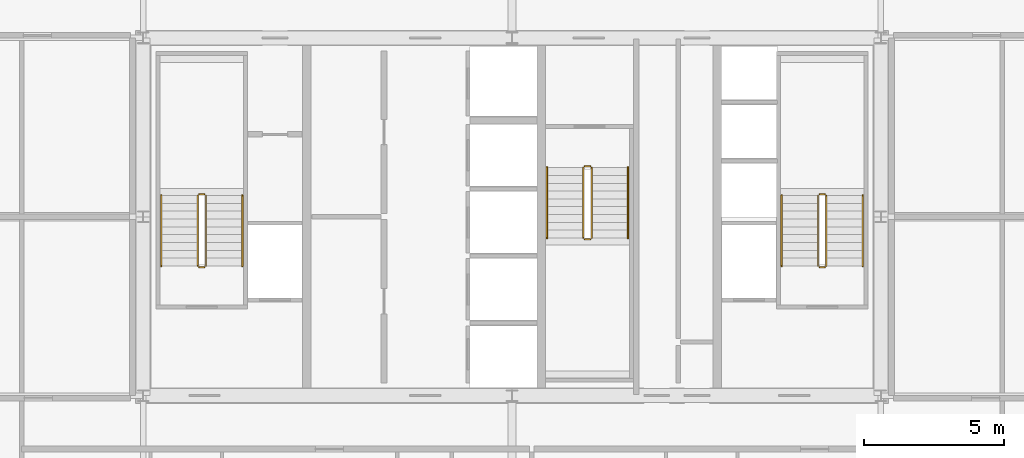
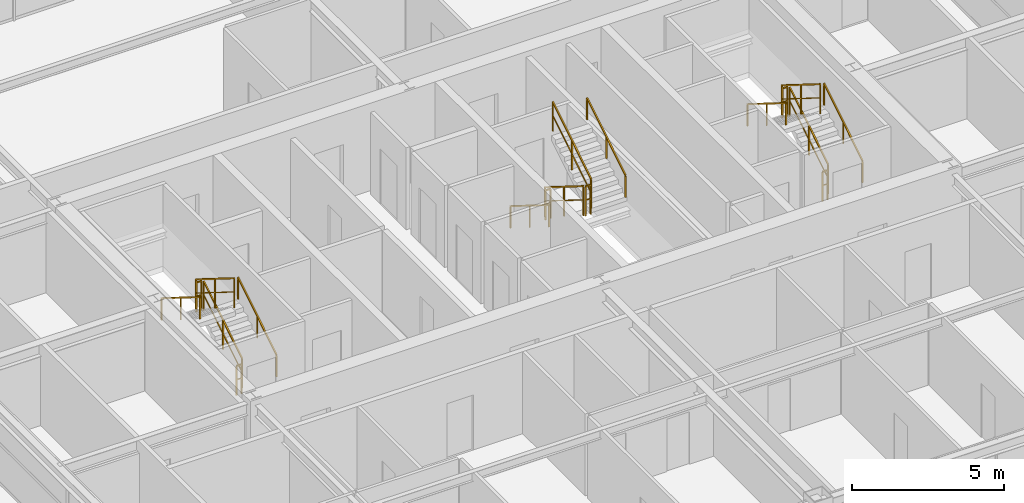
# One storey, part 36 of 36: 18 railings.
"""IFC4 building model written with IfcOpenShell, lengths in metres."""

from ifc_helpers import new_model, si_unit, direction, frame, origin, origin_2d, place, context, subcontext, project, spatial, rectangle, extrude, source, transform, mapped, material, layer, layer_set, type_object, element, save


model = new_model("IFC4")

# Units and contexts
model_context = context("Model", 3, precision=1e-05, world=origin(), true_north=direction((0.0, 1.0)))
body_context = subcontext(model_context, "Body", "Model", "MODEL_VIEW")
ifc_project = project(units=[si_unit("LENGTHUNIT", "METRE"), si_unit("AREAUNIT", "SQUARE_METRE"), si_unit("VOLUMEUNIT", "CUBIC_METRE"), si_unit("PLANEANGLEUNIT", "RADIAN"), si_unit("MASSUNIT", "GRAM", prefix="KILO"), si_unit("THERMODYNAMICTEMPERATUREUNIT", "KELVIN"), si_unit("POWERUNIT", "WATT")], contexts=[model_context])

# Site, building, storey
site_placement = place(None, origin())
site = spatial("IfcSite", under=ifc_project, at=site_placement, CompositionType="ELEMENT")
building_placement = place(site_placement, origin())
building = spatial("IfcBuilding", under=site, at=building_placement, Name="Yuzanri Waterfront Tower", CompositionType="ELEMENT")
storey_placement = place(building_placement, frame((0.0, 0.0, 231.10009765625)))
storey = spatial("IfcBuildingStorey", under=building, at=storey_placement, Name="L61", CompositionType="ELEMENT", Elevation=231.10009765625)

# Railings
ifc_material_1 = material(Name="Painted Galvanized Fire Steel", Category="steel")
ifc_layer_1 = layer(ifc_material_1, 0.06005859375)
ifc_layer_set_1 = layer_set([ifc_layer_1], Name="Painted Galvanized Fire Steel")
railing_type_1 = type_object("IfcRailingType", Name="Painted Steel Stairwell Guardrail 1120", PredefinedType="GUARDRAIL", material=ifc_layer_set_1)
shared_shape_1 = source(origin(), body_context, "Body", "SweptSolid", [
    extrude(rectangle(XDim=0.050048828125, YDim=0.050048828125, at=origin_2d()), frame((0.0, 0.0, 1.1748046875), z_axis=(-1.0, 0.0, 0.0), x_axis=(0.0, -1.0, 0.0)), (0.0, 0.0, 1.0), 0.199951171875),
    extrude(rectangle(XDim=0.035888671875, YDim=0.030029296875, at=origin_2d()), frame((0.0, 0.0, 0.6240234375), z_axis=(-1.0, 0.0, 0.0), x_axis=(0.0, -1.0, 0.0)), (0.0, 0.0, 1.0), 0.199951171875),
    extrude(rectangle(XDim=0.0458984375, YDim=0.0458984375, at=origin_2d()), origin(), (0.0, 0.0, 1.0), 1.14990234375),
    extrude(rectangle(XDim=0.0458984375, YDim=0.0458984375, at=origin_2d()), frame((-0.199951171875, 0.0, 0.0)), (0.0, 0.0, 1.0), 1.14990234375),
])
for number, where, name in (
    (1, (26.0, 26.610107421875, 1.75), "L61 ST-01 stair guard 2"),
    (2, (26.0, 23.989990234375, 0.0), "L61 ST-01 stair guard 4"),
    (3, (48.199951171875, 26.610107421875, 1.75), "L61 ST-02 stair guard 2"),
    (4, (48.199951171875, 23.989990234375, 0.0), "L61 ST-02 stair guard 4"),
):
    element("IfcRailing", number, at=place(storey_placement, frame(where)), inside=storey, type_object=railing_type_1, Name=name, PredefinedType="GUARDRAIL", context=body_context, shape_type="MappedRepresentation", body=[
        mapped(shared_shape_1, transform((0.0, 0.0, 0.0), scale=1.0)),
    ])
shared_shape_2 = source(origin(), body_context, "Body", "SweptSolid", [
    extrude(rectangle(XDim=0.050048828125, YDim=0.050048828125, at=origin_2d()), frame((0.0, 0.0, 1.1748046875), z_axis=(0.0, 0.847970611238, 0.530043245855), x_axis=(-1.0, 0.0, 0.0)), (0.0, 0.0, 1.0), 2.971923828125),
    extrude(rectangle(XDim=0.035888671875, YDim=0.030029296875, at=origin_2d()), frame((0.0, 0.0, 0.6240234375), z_axis=(0.0, 0.847970611238, 0.530043245855), x_axis=(-1.0, 0.0, 0.0)), (0.0, 0.0, 1.0), 2.971923828125),
    extrude(rectangle(XDim=0.0458984375, YDim=0.0458984375, at=origin_2d()), origin(), (0.0, 0.0, 1.0), 1.14990234375),
    extrude(rectangle(XDim=0.0458984375, YDim=0.0458984375, at=origin_2d()), frame((0.0, 1.260009765625, 0.78759765625)), (0.0, 0.0, 1.0), 1.14990234375),
    extrude(rectangle(XDim=0.0458984375, YDim=0.0458984375, at=origin_2d()), frame((0.0, 2.52001953125, 1.5751953125)), (0.0, 0.0, 1.0), 1.14990234375),
])
for number, where, name in (
    (5, (26.050048828125, 24.0400390625, 0.1748046875), "L61 ST-01 stair guard 1"),
    (6, (48.25, 24.0400390625, 0.1748046875), "L61 ST-02 stair guard 1"),
    (7, (39.85009765625, 25.0400390625, 1.9248046875), "L61 ST-03 stair guard 3"),
):
    element("IfcRailing", number, at=place(storey_placement, frame(where)), inside=storey, type_object=railing_type_1, Name=name, PredefinedType="GUARDRAIL", context=body_context, shape_type="MappedRepresentation", body=[
        mapped(shared_shape_2, transform((0.0, 0.0, 0.0), scale=1.0)),
    ])
shared_shape_3 = source(origin(), body_context, "Body", "SweptSolid", [
    extrude(rectangle(XDim=0.050048828125, YDim=0.050048828125, at=origin_2d()), frame((0.0, 0.0, 1.1748046875), z_axis=(0.0, -0.847970611238, 0.530043245855), x_axis=(1.0, 0.0, 0.0)), (0.0, 0.0, 1.0), 2.971923828125),
    extrude(rectangle(XDim=0.035888671875, YDim=0.030029296875, at=origin_2d()), frame((0.0, 0.0, 0.6240234375), z_axis=(0.0, -0.847970611238, 0.530043245855), x_axis=(1.0, 0.0, 0.0)), (0.0, 0.0, 1.0), 2.971923828125),
    extrude(rectangle(XDim=0.0458984375, YDim=0.0458984375, at=origin_2d()), origin(), (0.0, 0.0, 1.0), 1.14990234375),
    extrude(rectangle(XDim=0.0458984375, YDim=0.0458984375, at=origin_2d()), frame((0.0, -1.260009765625, 0.78759765625)), (0.0, 0.0, 1.0), 1.14990234375),
    extrude(rectangle(XDim=0.0458984375, YDim=0.0458984375, at=origin_2d()), frame((0.0, -2.52001953125, 1.5751953125)), (0.0, 0.0, 1.0), 1.14990234375),
])
for number, where, name in (
    (8, (25.75, 26.56005859375, 1.9248046875), "L61 ST-01 stair guard 3"),
    (9, (47.949951171875, 26.56005859375, 1.9248046875), "L61 ST-02 stair guard 3"),
    (10, (39.550048828125, 27.56005859375, 0.1748046875), "L61 ST-03 stair guard 1"),
):
    element("IfcRailing", number, at=place(storey_placement, frame(where)), inside=storey, type_object=railing_type_1, Name=name, PredefinedType="GUARDRAIL", context=body_context, shape_type="MappedRepresentation", body=[
        mapped(shared_shape_3, transform((0.0, 0.0, 0.0), scale=1.0)),
    ])
ifc_material_2 = material(Name="Anodized Architectural Bronze", Category="metal")
ifc_layer_2 = layer(ifc_material_2, 0.050048828125)
ifc_layer_set_2 = layer_set([ifc_layer_2], Name="Anodized Architectural Bronze")
railing_type_2 = type_object("IfcRailingType", Name="Brushed Bronze Stair Pitch Handrail 920", PredefinedType="HANDRAIL", material=ifc_layer_set_2)
shared_shape_4 = source(origin(), body_context, "Body", "SweptSolid", [
    extrude(rectangle(XDim=0.050048828125, YDim=0.050048828125, at=origin_2d()), frame((0.0, 0.0, 0.875), z_axis=(0.0, 0.847970611238, 0.530043245855), x_axis=(-1.0, 0.0, 0.0)), (0.0, 0.0, 1.0), 2.971923828125),
    extrude(rectangle(XDim=0.0458984375, YDim=0.0458984375, at=origin_2d()), origin(), (0.0, 0.0, 1.0), 0.849853515625),
    extrude(rectangle(XDim=0.0458984375, YDim=0.0458984375, at=origin_2d()), frame((0.0, 1.260009765625, 0.78759765625)), (0.0, 0.0, 1.0), 0.849853515625),
    extrude(rectangle(XDim=0.0458984375, YDim=0.0458984375, at=origin_2d()), frame((0.0, 2.52001953125, 1.5751953125)), (0.0, 0.0, 1.0), 0.849853515625),
])
for number, where, name in (
    (11, (27.35009765625, 24.0400390625, 0.1748046875), "L61 ST-01 stair handrail 1"),
    (12, (49.550048828125, 24.0400390625, 0.1748046875), "L61 ST-02 stair handrail 1"),
    (13, (41.14990234375, 25.0400390625, 1.9248046875), "L61 ST-03 stair handrail 2"),
):
    element("IfcRailing", number, at=place(storey_placement, frame(where)), inside=storey, type_object=railing_type_2, Name=name, PredefinedType="HANDRAIL", context=body_context, shape_type="MappedRepresentation", body=[
        mapped(shared_shape_4, transform((0.0, 0.0, 0.0), scale=1.0)),
    ])
shared_shape_5 = source(origin(), body_context, "Body", "SweptSolid", [
    extrude(rectangle(XDim=0.050048828125, YDim=0.050048828125, at=origin_2d()), frame((0.0, 0.0, 0.875), z_axis=(0.0, -0.847970611238, 0.530043245855), x_axis=(1.0, 0.0, 0.0)), (0.0, 0.0, 1.0), 2.971923828125),
    extrude(rectangle(XDim=0.0458984375, YDim=0.0458984375, at=origin_2d()), origin(), (0.0, 0.0, 1.0), 0.849853515625),
    extrude(rectangle(XDim=0.0458984375, YDim=0.0458984375, at=origin_2d()), frame((0.0, -1.260009765625, 0.78759765625)), (0.0, 0.0, 1.0), 0.849853515625),
    extrude(rectangle(XDim=0.0458984375, YDim=0.0458984375, at=origin_2d()), frame((0.0, -2.52001953125, 1.5751953125)), (0.0, 0.0, 1.0), 0.849853515625),
])
for number, where, name in (
    (14, (24.449951171875, 26.56005859375, 1.9248046875), "L61 ST-01 stair handrail 2"),
    (15, (46.64990234375, 26.56005859375, 1.9248046875), "L61 ST-02 stair handrail 2"),
    (16, (38.25, 27.56005859375, 0.1748046875), "L61 ST-03 stair handrail 1"),
):
    element("IfcRailing", number, at=place(storey_placement, frame(where)), inside=storey, type_object=railing_type_2, Name=name, PredefinedType="HANDRAIL", context=body_context, shape_type="MappedRepresentation", body=[
        mapped(shared_shape_5, transform((0.0, 0.0, 0.0), scale=1.0)),
    ])
shared_shape_6 = source(origin(), body_context, "Body", "SweptSolid", [
    extrude(rectangle(XDim=0.050048828125, YDim=0.050048828125, at=origin_2d()), frame((0.0, 0.0, 1.1748046875), z_axis=(1.0, 0.0, 0.0), x_axis=(0.0, 1.0, 0.0)), (0.0, 0.0, 1.0), 0.199951171875),
    extrude(rectangle(XDim=0.035888671875, YDim=0.030029296875, at=origin_2d()), frame((0.0, 0.0, 0.6240234375), z_axis=(1.0, 0.0, 0.0), x_axis=(0.0, 1.0, 0.0)), (0.0, 0.0, 1.0), 0.199951171875),
    extrude(rectangle(XDim=0.0458984375, YDim=0.0458984375, at=origin_2d()), origin(), (0.0, 0.0, 1.0), 1.14990234375),
    extrude(rectangle(XDim=0.0458984375, YDim=0.0458984375, at=origin_2d()), frame((0.199951171875, 0.0, 0.0)), (0.0, 0.0, 1.0), 1.14990234375),
])
for number, where, name in (
    (17, (39.60009765625, 24.989990234375, 1.75), "L61 ST-03 stair guard 2"),
    (18, (39.60009765625, 27.610107421875, 0.0), "L61 ST-03 stair guard 4"),
):
    element("IfcRailing", number, at=place(storey_placement, frame(where)), inside=storey, type_object=railing_type_1, Name=name, PredefinedType="GUARDRAIL", context=body_context, shape_type="MappedRepresentation", body=[
        mapped(shared_shape_6, transform((0.0, 0.0, 0.0), scale=1.0)),
    ])

save(model, "model.ifc")
